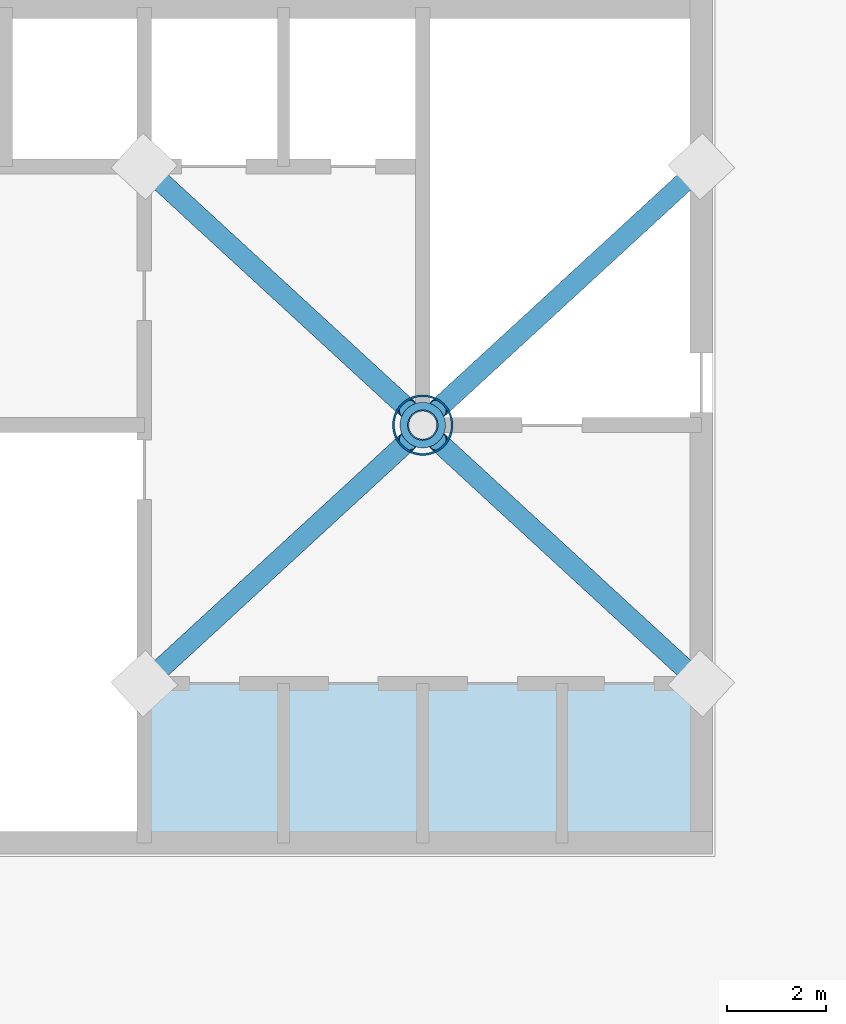
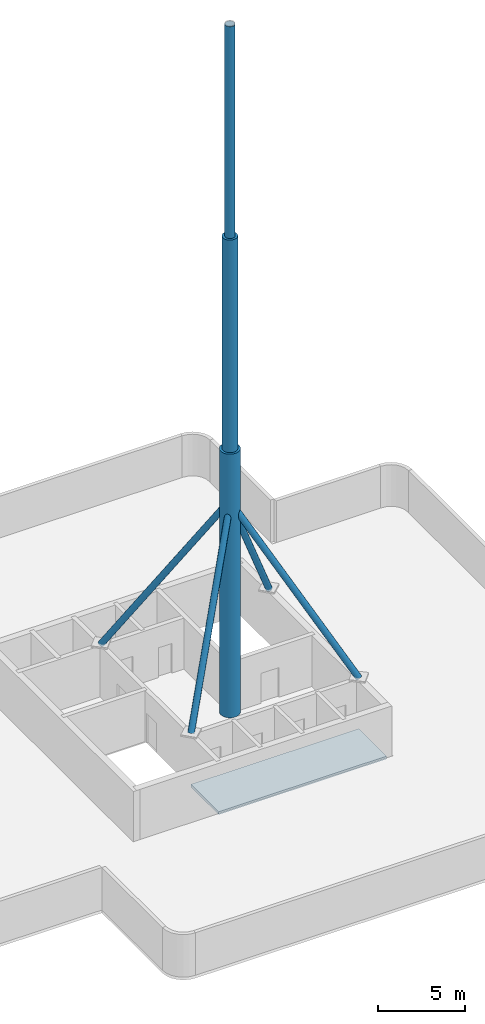
# One storey, part 1 of 4: 4 members, 3 columns, 1 slab.
"""IFC4 building model written with IfcOpenShell, lengths in metres."""

from ifc_helpers import new_model, si_unit, direction, frame, origin, origin_2d, place, context, subcontext, project, spatial, polyline, circle, hollow_circle, outline, extrude, material, layer, layer_set, material_profile, profile_set, type_object, element, save


model = new_model("IFC4")

# Units and contexts
model_context = context("Model", 3, precision=1e-05, world=origin(), true_north=direction((0.0, 1.0)))
body_context = subcontext(model_context, "Body", "Model", "MODEL_VIEW")
ifc_project = project(units=[si_unit("LENGTHUNIT", "METRE"), si_unit("AREAUNIT", "SQUARE_METRE"), si_unit("VOLUMEUNIT", "CUBIC_METRE"), si_unit("PLANEANGLEUNIT", "RADIAN"), si_unit("MASSUNIT", "GRAM", prefix="KILO")], contexts=[model_context])

# Site, building, storey
site_placement = place(None, origin())
site = spatial("IfcSite", under=ifc_project, at=site_placement, CompositionType="ELEMENT")
building_placement = place(site_placement, origin())
building = spatial("IfcBuilding", under=site, at=building_placement, Name="Torre Alcanfor", CompositionType="ELEMENT")
storey_placement = place(building_placement, frame((0.0, 0.0, 309.89990234375)))
storey = spatial("IfcBuildingStorey", under=building, at=storey_placement, Name="RF", CompositionType="ELEMENT", Elevation=309.89990234375)

# Columns
ifc_material_1 = material(Name="Steel ASTM A572 Grade 50 welded tube", Category="steel")
ifc_material_profile_1 = material_profile(ifc_material_1, hollow_circle(Radius=0.609619140625, WallThickness=0.0400390625, at=origin_2d()), Name="CHS 1219x40")
ifc_profile_set_1 = profile_set([ifc_material_profile_1], Name="Steel ASTM A572 Grade 50 welded tube")
column_type_1 = type_object("IfcColumnType", Name="SPIRE MAST CHS1219x40", PredefinedType="USERDEFINED", material=ifc_profile_set_1)
column_1_placement = place(storey_placement, frame((32.199951171875, 29.39990234375, 0.0), z_axis=(0.0, 0.0, 1.0), x_axis=(1.0, 0.0, 0.0)))
element("IfcColumn", 1, at=column_1_placement, inside=storey, type_object=column_type_1, Name="Spire mast segment 1", ObjectType="SPIRE MAST", PredefinedType="USERDEFINED", context=body_context, shape_type="SweptSolid", body=[
    extrude(hollow_circle(Radius=0.609619140625, WallThickness=0.0400390625, at=origin_2d()), origin(), (0.0, 0.0, 1.0), 18.60009765625),
    extrude(circle(Radius=0.5994873046875, at=origin_2d()), frame((0.0, 0.0, 18.550048828125)), (0.0, 0.0, 1.0), 0.050048828125),
])
ifc_material_2 = material(Name="Steel ASTM A572 Grade 50 welded tube", Category="steel")
ifc_material_profile_2 = material_profile(ifc_material_2, hollow_circle(Radius=0.304931640625, WallThickness=0.02490234375, at=origin_2d()), Name="CHS 610x25")
ifc_profile_set_2 = profile_set([ifc_material_profile_2], Name="Steel ASTM A572 Grade 50 welded tube")
column_type_2 = type_object("IfcColumnType", Name="SPIRE MAST CHS610x25", PredefinedType="USERDEFINED", material=ifc_profile_set_2)
column_2_placement = place(storey_placement, frame((32.199951171875, 29.39990234375, 33.60009765625), z_axis=(0.0, 0.0, 1.0), x_axis=(1.0, 0.0, 0.0)))
element("IfcColumn", 2, at=column_2_placement, inside=storey, type_object=column_type_2, Name="Spire mast segment 3", ObjectType="SPIRE MAST", PredefinedType="USERDEFINED", context=body_context, shape_type="SweptSolid", body=[
    extrude(hollow_circle(Radius=0.304931640625, WallThickness=0.02490234375, at=origin_2d()), origin(), (0.0, 0.0, 1.0), 14.949951171875),
])
ifc_material_3 = material(Name="Steel ASTM A572 Grade 50 welded tube", Category="steel")
ifc_material_profile_3 = material_profile(ifc_material_3, hollow_circle(Radius=0.45703125, WallThickness=0.031982421875, at=origin_2d()), Name="CHS 914x32")
ifc_profile_set_3 = profile_set([ifc_material_profile_3], Name="Steel ASTM A572 Grade 50 welded tube")
column_type_3 = type_object("IfcColumnType", Name="SPIRE MAST CHS914x32", PredefinedType="USERDEFINED", material=ifc_profile_set_3)
column_3_placement = place(storey_placement, frame((32.199951171875, 29.39990234375, 18.60009765625), z_axis=(0.0, 0.0, 1.0), x_axis=(1.0, 0.0, 0.0)))
element("IfcColumn", 3, at=column_3_placement, inside=storey, type_object=column_type_3, Name="Spire mast segment 2", ObjectType="SPIRE MAST", PredefinedType="USERDEFINED", context=body_context, shape_type="SweptSolid", body=[
    extrude(hollow_circle(Radius=0.45703125, WallThickness=0.031982421875, at=origin_2d()), origin(), (0.0, 0.0, 1.0), 15.0),
    extrude(circle(Radius=0.447021484375, at=origin_2d()), frame((0.0, 0.0, 14.949951171875)), (0.0, 0.0, 1.0), 0.050048828125),
])

# Members
ifc_material_4 = material(Name="Steel ASTM A572 Grade 50 welded tube", Category="steel")
ifc_material_profile_4 = material_profile(ifc_material_4, hollow_circle(Radius=0.203125, WallThickness=0.01611328125, at=origin_2d()), Name="CHS 406.4x16")
ifc_profile_set_4 = profile_set([ifc_material_profile_4], Name="Steel ASTM A572 Grade 50 welded tube")
member_type = type_object("IfcMemberType", Name="SPIRE BASE BRACE CHS406x16", PredefinedType="USERDEFINED", material=ifc_profile_set_4)
for number, where, z_axis, x_axis, name in (
    (4, (26.60009765625, 24.199951171875, 3.60009765625), (0.412449369055, 0.379343255757, 0.828241638822), (-0.676950051279, 0.736028958719, 0.0), "Spire base brace 1"),
    (5, (37.800048828125, 24.199951171875, 3.60009765625), (-0.412465131511, 0.379340283963, 0.828235150335), (-0.676933163197, -0.736044490886, 0.0), "Spire base brace 2"),
    (6, (37.800048828125, 34.60009765625, 3.60009765625), (-0.412465131511, -0.379340283963, 0.828235150335), (0.676933163197, -0.736044490886, 0.0), "Spire base brace 3"),
    (7, (26.60009765625, 34.60009765625, 3.60009765625), (0.412449369055, -0.379343255757, 0.828241638822), (0.676950051279, 0.736028958719, 0.0), "Spire base brace 4"),
):
    element("IfcMember", number, at=place(storey_placement, frame(where, z_axis=z_axis, x_axis=x_axis)), inside=storey, type_object=member_type, Name=name, ObjectType="SPIRE BASE BRACE", PredefinedType="USERDEFINED", context=body_context, shape_type="SweptSolid", body=[
        extrude(hollow_circle(Radius=0.203125, WallThickness=0.01611328125, at=origin_2d()), origin(), (0.0, 0.0, 1.0), 12.853759765625),
    ])

# Slab
ifc_material_5 = material(Name="Concrete f'c 35 MPa", Category="concrete")
ifc_layer = layer(ifc_material_5, 0.199951171875)
ifc_layer_set = layer_set([ifc_layer], Name="Head-house floor 200")
slab_type = type_object("IfcSlabType", Name="Head-house floor 200", PredefinedType="FLOOR", material=ifc_layer_set)
slab_placement = place(storey_placement, frame((0.0, 0.0, -0.199951171875)))
element("IfcSlab", 8, at=slab_placement, inside=storey, type_object=slab_type, Name="Head-house floor south", PredefinedType="FLOOR", context=body_context, shape_type="SweptSolid", body=[
    extrude(outline(polyline([(26.60009765625, 21.0), (37.800048828125, 21.0), (37.800048828125, 24.199951171875), (26.60009765625, 24.199951171875), (26.60009765625, 21.0)])), origin(), (0.0, 0.0, 1.0), 0.199951171875),
])

save(model, "model.ifc")
